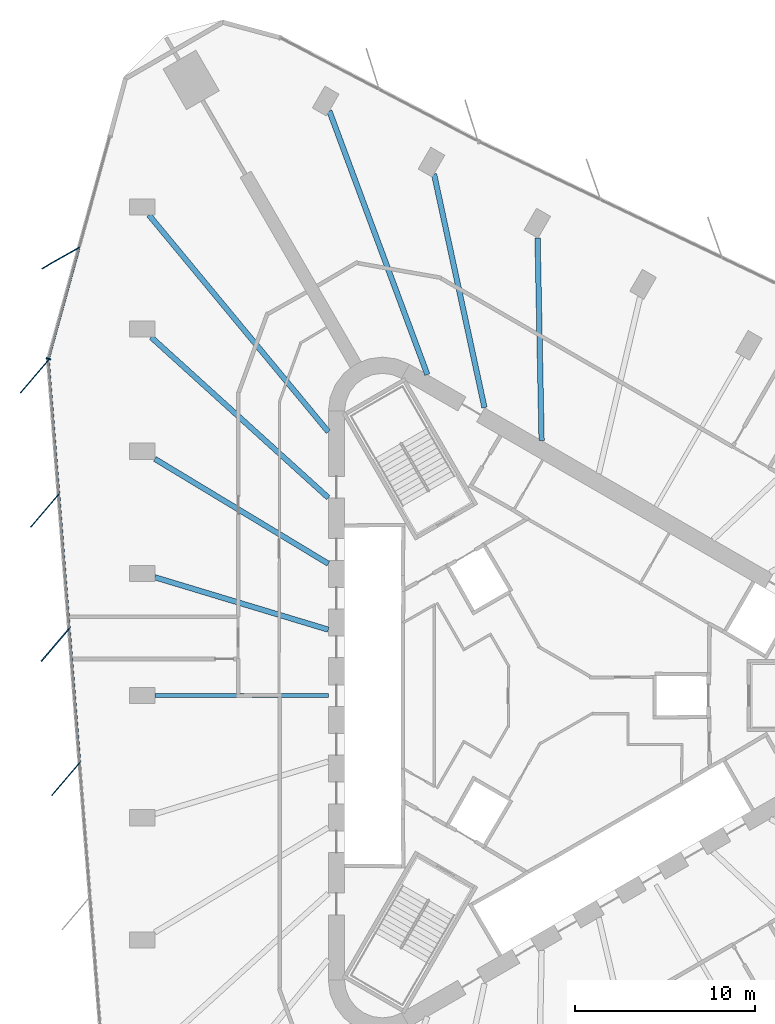
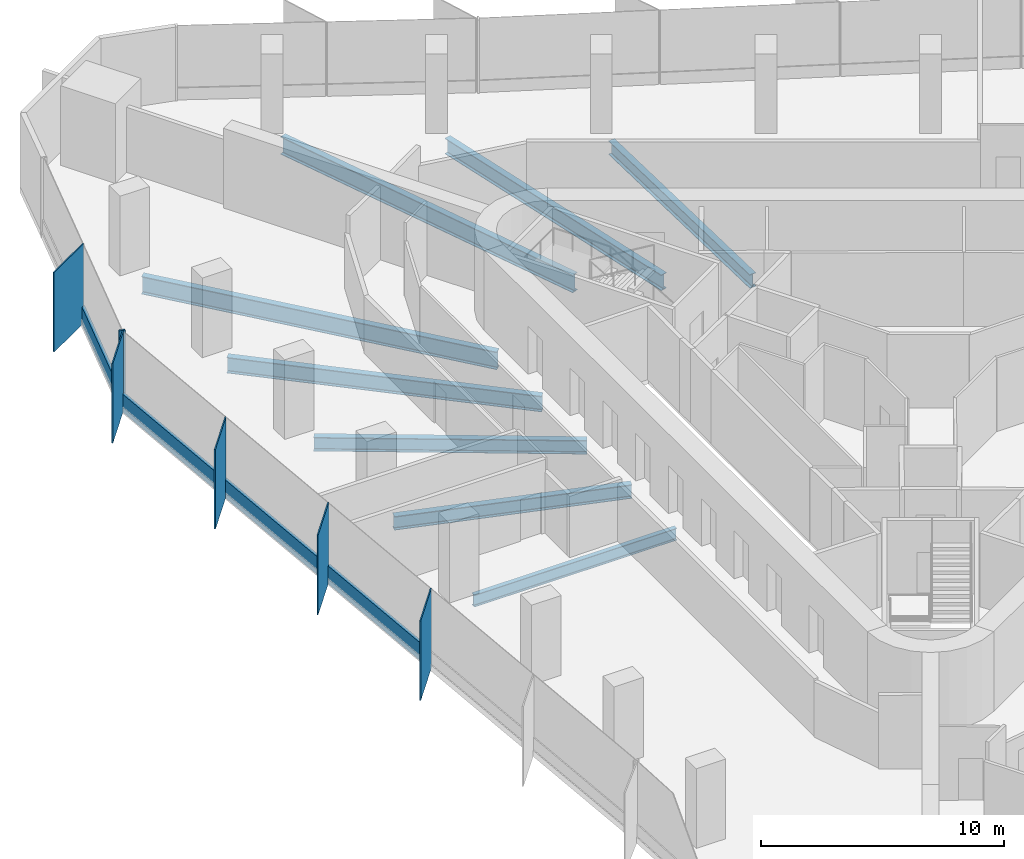
# One storey, part 4 of 13: 10 members, 8 beams, 2 elements without a shape of their own.
"""IFC4 building model written with IfcOpenShell, lengths in metres."""

from ifc_helpers import new_model, si_unit, direction, frame, origin, origin_2d, place, context, subcontext, project, spatial, rectangle, i_section, extrude, material, material_profile, profile_set, type_object, element, aggregate, save


model = new_model("IFC4")

# Units and contexts
model_context = context("Model", 3, precision=1e-05, world=origin(), true_north=direction((0.0, 1.0)))
body_context = subcontext(model_context, "Body", "Model", "MODEL_VIEW")
ifc_project = project(units=[si_unit("LENGTHUNIT", "METRE"), si_unit("AREAUNIT", "SQUARE_METRE"), si_unit("VOLUMEUNIT", "CUBIC_METRE"), si_unit("PLANEANGLEUNIT", "RADIAN"), si_unit("MASSUNIT", "GRAM", prefix="KILO")], contexts=[model_context])

# Site, building, storey
site_placement = place(None, origin())
site = spatial("IfcSite", under=ifc_project, at=site_placement, CompositionType="ELEMENT")
building_placement = place(site_placement, origin())
building = spatial("IfcBuilding", under=site, at=building_placement, Name="Tanit Gate Tower", CompositionType="ELEMENT")
storey_placement = place(building_placement, frame((0.0, 0.0, 189.199951171875)))
storey = spatial("IfcBuildingStorey", under=building, at=storey_placement, Name="L41", CompositionType="ELEMENT", Elevation=189.199951171875)

# Curtain wall, member
ifc_material_1 = material(Name="Aluminium bronze anodised and glass", Category="aluminium")
curtain_wall_type = type_object("IfcCurtainWallType", Name="Curtain wall typical mid", PredefinedType="NOTDEFINED", material=ifc_material_1)
curtain_wall_1_placement = place(storey_placement, origin())
curtain_wall_1 = element("IfcCurtainWall", 1, at=curtain_wall_1_placement, inside=storey, type_object=curtain_wall_type, Name="Curtain wall L41 W1", PredefinedType="NOTDEFINED")
ifc_material_2 = material(Name="Aluminium bronze anodised", Category="aluminium")
ifc_material_profile_1 = material_profile(ifc_material_2, rectangle(XDim=2.39990234375, YDim=0.055908203125, at=origin_2d()), Name="56x2400 bronze fin mullion")
ifc_profile_set_1 = profile_set([ifc_material_profile_1], Name="Aluminium bronze anodised")
member_type_1 = type_object("IfcMemberType", Name="FIN MULLION 56x2400 bronze", PredefinedType="MULLION", material=ifc_profile_set_1)
member_1_placement = place(storey_placement, frame((-26.9375, 24.251953125, -0.300048828125), z_axis=(0.0, 0.0, 1.0), x_axis=(0.869820195639, 0.493368855178, 0.0)))
member_1 = element("IfcMember", 2, at=member_1_placement, type_object=member_type_1, Name="Fin mullion L41 W1.2", PredefinedType="MULLION", context=body_context, shape_type="SweptSolid", body=[
    extrude(rectangle(XDim=2.39990234375, YDim=0.055908203125, at=origin_2d()), origin(), (0.0, 0.0, 1.0), 4.0),
])

# Curtain wall, members
curtain_wall_2_placement = place(storey_placement, origin())
curtain_wall_2 = element("IfcCurtainWall", 3, at=curtain_wall_2_placement, inside=storey, type_object=curtain_wall_type, Name="Curtain wall L41 W2", PredefinedType="NOTDEFINED")
member_2_placement = place(storey_placement, frame((-28.388427734375, 17.694091796875, -0.300048828125), z_axis=(0.0, 0.0, 1.0), x_axis=(0.650025975428, 0.75991198916, 0.0)))
member_2 = element("IfcMember", 4, at=member_2_placement, type_object=member_type_1, Name="Fin mullion L41 W2.1", PredefinedType="MULLION", context=body_context, shape_type="SweptSolid", body=[
    extrude(rectangle(XDim=2.39990234375, YDim=0.055908203125, at=origin_2d()), origin(), (0.0, 0.0, 1.0), 4.0),
])
member_3_placement = place(storey_placement, frame((-27.808837890625, 10.25732421875, -0.300048828125), z_axis=(0.0, 0.0, 1.0), x_axis=(0.650025975428, 0.75991198916, 0.0)))
member_3 = element("IfcMember", 5, at=member_3_placement, type_object=member_type_1, Name="Fin mullion L41 W2.2", PredefinedType="MULLION", context=body_context, shape_type="SweptSolid", body=[
    extrude(rectangle(XDim=2.39990234375, YDim=0.055908203125, at=origin_2d()), origin(), (0.0, 0.0, 1.0), 4.0),
])
member_4_placement = place(storey_placement, frame((-27.229248046875, 2.8203125, -0.300048828125), z_axis=(0.0, 0.0, 1.0), x_axis=(0.650025975428, 0.75991198916, 0.0)))
member_4 = element("IfcMember", 6, at=member_4_placement, type_object=member_type_1, Name="Fin mullion L41 W2.3", PredefinedType="MULLION", context=body_context, shape_type="SweptSolid", body=[
    extrude(rectangle(XDim=2.39990234375, YDim=0.055908203125, at=origin_2d()), origin(), (0.0, 0.0, 1.0), 4.0),
])
member_5_placement = place(storey_placement, frame((-26.649658203125, -4.616455078125, -0.300048828125), z_axis=(0.0, 0.0, 1.0), x_axis=(0.650025975428, 0.75991198916, 0.0)))
member_5 = element("IfcMember", 7, at=member_5_placement, type_object=member_type_1, Name="Fin mullion L41 W2.4", PredefinedType="MULLION", context=body_context, shape_type="SweptSolid", body=[
    extrude(rectangle(XDim=2.39990234375, YDim=0.055908203125, at=origin_2d()), origin(), (0.0, 0.0, 1.0), 4.0),
])

# Member
ifc_material_3 = material(Name="Aluminium bronze anodised", Category="aluminium")
ifc_material_profile_2 = material_profile(ifc_material_3, rectangle(XDim=0.260009765625, YDim=0.080078125, at=origin_2d()), Name="80x260 bronze mullion")
ifc_profile_set_2 = profile_set([ifc_material_profile_2], Name="Aluminium bronze anodised")
member_type_2 = type_object("IfcMemberType", Name="Mullion 80x260 typical mid", PredefinedType="MULLION", material=ifc_profile_set_2)
member_6_placement = place(storey_placement, frame((-27.61474609375, 18.668212890625, -0.300048828125), z_axis=(0.0, 0.0, 1.0), x_axis=(0.963920221871, -0.266191295627, 0.0)))
member_6 = element("IfcMember", 8, at=member_6_placement, type_object=member_type_2, Name="Mullion L41 W1.3", PredefinedType="MULLION", context=body_context, shape_type="SweptSolid", body=[
    extrude(rectangle(XDim=0.260009765625, YDim=0.080078125, at=origin_2d()), origin(), (0.0, 0.0, 1.0), 4.0),
])

# Beams
ifc_material_4 = material(Name="Steel S355", Category="steel")
ifc_material_profile_3 = material_profile(ifc_material_4, i_section(OverallWidth=0.300048828125, OverallDepth=0.68994140625, WebThickness=0.014404296875, FlangeThickness=0.027099609375, FilletRadius=0.027099609375, at=origin_2d()), Name="HEA 700")
ifc_profile_set_3 = profile_set([ifc_material_profile_3], Name="Steel S355")
beam_type_1 = type_object("IfcBeamType", Name="RADIAL GIRDER HEA 700 S355", PredefinedType="BEAM", material=ifc_profile_set_3)
for number, where, z_axis, x_axis, name in (
    (9, (-0.504150390625, 25.364990234375, -0.64501953125), (0.019869098262, -0.999802589982, 0.0), (0.999802589982, 0.019869098262, 0.0), "RADIAL GIRDER"),
    (10, (-21.714599609375, 13.119140625, -0.64501953125), (0.855914138783, -0.517117962395, 0.0), (0.517117962395, 0.855914138783, 0.0), "RADIAL GIRDER"),
):
    element("IfcBeam", number, at=place(storey_placement, frame(where, z_axis=z_axis, x_axis=x_axis)), inside=storey, type_object=beam_type_1, Name=name, PredefinedType="BEAM", context=body_context, shape_type="SweptSolid", body=[
        extrude(i_section(OverallWidth=0.300048828125, OverallDepth=0.68994140625, WebThickness=0.014404296875, FlangeThickness=0.027099609375, FilletRadius=0.027099609375, at=origin_2d()), origin(), (0.0, 0.0, 1.0), 11.230712890625),
    ])
beam_1_placement = place(storey_placement, frame((-21.714599609375, 6.5595703125, -0.64501953125), z_axis=(0.95727515036, -0.28917864116, 0.0), x_axis=(0.28917864116, 0.95727515036, 0.0)))
element("IfcBeam", 11, at=beam_1_placement, inside=storey, type_object=beam_type_1, Name="RADIAL GIRDER", PredefinedType="BEAM", context=body_context, shape_type="SweptSolid", body=[
    extrude(i_section(OverallWidth=0.300048828125, OverallDepth=0.68994140625, WebThickness=0.014404296875, FlangeThickness=0.027099609375, FilletRadius=0.027099609375, at=origin_2d()), origin(), (0.0, 0.0, 1.0), 10.04150390625),
])
ifc_material_5 = material(Name="Steel S355", Category="steel")
ifc_material_profile_4 = material_profile(ifc_material_5, i_section(OverallWidth=0.300048828125, OverallDepth=0.7900390625, WebThickness=0.014892578125, FlangeThickness=0.028076171875, FilletRadius=0.030029296875, at=origin_2d()), Name="HEA 800")
ifc_profile_set_4 = profile_set([ifc_material_profile_4], Name="Steel S355")
beam_type_2 = type_object("IfcBeamType", Name="RADIAL GIRDER HEA 800 S355", PredefinedType="BEAM", material=ifc_profile_set_4)
beam_2_placement = place(storey_placement, frame((-6.242919921875, 28.9130859375, -0.695068359375), z_axis=(0.211052986888, -0.977474622037, 0.0), x_axis=(0.977474622037, 0.211052986888, 0.0)))
element("IfcBeam", 12, at=beam_2_placement, inside=storey, type_object=beam_type_2, Name="RADIAL GIRDER", PredefinedType="BEAM", context=body_context, shape_type="SweptSolid", body=[
    extrude(i_section(OverallWidth=0.300048828125, OverallDepth=0.7900390625, WebThickness=0.014892578125, FlangeThickness=0.028076171875, FilletRadius=0.030029296875, at=origin_2d()), origin(), (0.0, 0.0, 1.0), 13.247314453125),
])
beam_3_placement = place(storey_placement, frame((-21.918212890625, 19.86279296875, -0.695068359375), z_axis=(0.741001566529, -0.671503297387, 0.0), x_axis=(0.671503297387, 0.741001566529, 0.0)))
element("IfcBeam", 13, at=beam_3_placement, inside=storey, type_object=beam_type_2, Name="RADIAL GIRDER", PredefinedType="BEAM", context=body_context, shape_type="SweptSolid", body=[
    extrude(i_section(OverallWidth=0.300048828125, OverallDepth=0.7900390625, WebThickness=0.014892578125, FlangeThickness=0.028076171875, FilletRadius=0.030029296875, at=origin_2d()), origin(), (0.0, 0.0, 1.0), 13.2470703125),
])
ifc_material_6 = material(Name="Steel S355", Category="steel")
ifc_material_profile_5 = material_profile(ifc_material_6, i_section(OverallWidth=0.300048828125, OverallDepth=0.889892578125, WebThickness=0.01611328125, FlangeThickness=0.030029296875, FilletRadius=0.030029296875, at=origin_2d()), Name="HEA 900")
ifc_profile_set_5 = profile_set([ifc_material_profile_5], Name="Steel S355")
beam_type_3 = type_object("IfcBeamType", Name="RADIAL GIRDER HEA 900 S355", PredefinedType="BEAM", material=ifc_profile_set_5)
beam_4_placement = place(storey_placement, frame((-12.04443359375, 32.40625, -0.744873046875), z_axis=(0.348383102876, -0.937352235625, 0.0), x_axis=(0.937352235625, 0.348383102876, 0.0)))
element("IfcBeam", 14, at=beam_4_placement, inside=storey, type_object=beam_type_3, Name="RADIAL GIRDER", PredefinedType="BEAM", context=body_context, shape_type="SweptSolid", body=[
    extrude(i_section(OverallWidth=0.300048828125, OverallDepth=0.889892578125, WebThickness=0.01611328125, FlangeThickness=0.030029296875, FilletRadius=0.030029296875, at=origin_2d()), origin(), (0.0, 0.0, 1.0), 15.591064453125),
])
beam_5_placement = place(storey_placement, frame((-22.042236328125, 26.6337890625, -0.744873046875), z_axis=(0.637577648995, -0.77038609898, 0.0), x_axis=(0.77038609898, 0.637577648995, 0.0)))
element("IfcBeam", 15, at=beam_5_placement, inside=storey, type_object=beam_type_3, Name="RADIAL GIRDER", PredefinedType="BEAM", context=body_context, shape_type="SweptSolid", body=[
    extrude(i_section(OverallWidth=0.300048828125, OverallDepth=0.889892578125, WebThickness=0.01611328125, FlangeThickness=0.030029296875, FilletRadius=0.030029296875, at=origin_2d()), origin(), (0.0, 0.0, 1.0), 15.590576171875),
])
ifc_material_7 = material(Name="Steel S355", Category="steel")
ifc_material_profile_6 = material_profile(ifc_material_7, i_section(OverallWidth=0.219970703125, OverallDepth=0.60009765625, WebThickness=0.011962890625, FlangeThickness=0.01904296875, FilletRadius=0.02392578125, at=origin_2d()), Name="IPE 600")
ifc_profile_set_6 = profile_set([ifc_material_profile_6], Name="Steel S355")
beam_type_4 = type_object("IfcBeamType", Name="RADIAL GIRDER IPE 600 S355", PredefinedType="BEAM", material=ifc_profile_set_6)
beam_6_placement = place(storey_placement, frame((-21.714599609375, 0.0, -0.599853515625), z_axis=(1.0, 0.0, 0.0), x_axis=(0.0, 1.0, 0.0)))
element("IfcBeam", 16, at=beam_6_placement, inside=storey, type_object=beam_type_4, Name="RADIAL GIRDER", PredefinedType="BEAM", context=body_context, shape_type="SweptSolid", body=[
    extrude(i_section(OverallWidth=0.219970703125, OverallDepth=0.60009765625, WebThickness=0.011962890625, FlangeThickness=0.01904296875, FilletRadius=0.02392578125, at=origin_2d()), origin(), (0.0, 0.0, 1.0), 9.612548828125),
])

# Member
ifc_material_8 = material(Name="Aluminium bronze anodised", Category="aluminium")
ifc_material_profile_7 = material_profile(ifc_material_8, rectangle(XDim=0.139892578125, YDim=0.89990234375, at=origin_2d()), Name="140x900 bronze transom")
ifc_profile_set_7 = profile_set([ifc_material_profile_7], Name="Aluminium bronze anodised")
member_type_3 = type_object("IfcMemberType", Name="Transom 140x900 typical mid", PredefinedType="USERDEFINED", material=ifc_profile_set_7)
member_7_placement = place(storey_placement, frame((-25.9228515625, 24.795166015625, 0.150146484375), z_axis=(-0.266164324835, -0.963927669582, 0.0), x_axis=(0.963927669582, -0.266164324835, 0.0)))
member_7 = element("IfcMember", 17, at=member_7_placement, type_object=member_type_3, Name="Transom L41 W1.2", ObjectType="TRANSOM", PredefinedType="USERDEFINED", context=body_context, shape_type="SweptSolid", body=[
    extrude(rectangle(XDim=0.139892578125, YDim=0.89990234375, at=origin_2d()), origin(), (0.0, 0.0, 1.0), 6.316162109375),
])

aggregate(curtain_wall_1, [member_1, member_6, member_7])

member_8_placement = place(storey_placement, frame((-27.619140625, 18.550048828125, 0.150146484375), z_axis=(0.077713489247, -0.996975733701, 0.0), x_axis=(0.996975733701, 0.077713489247, 0.0)))
member_8 = element("IfcMember", 18, at=member_8_placement, type_object=member_type_3, Name="Transom L41 W2.1", ObjectType="TRANSOM", PredefinedType="USERDEFINED", context=body_context, shape_type="SweptSolid", body=[
    extrude(rectangle(XDim=0.139892578125, YDim=0.89990234375, at=origin_2d()), origin(), (0.0, 0.0, 1.0), 7.37939453125),
])

member_9_placement = place(storey_placement, frame((-27.03955078125, 11.113037109375, 0.150146484375), z_axis=(0.077716052602, -0.996975533886, 0.0), x_axis=(0.996975533886, 0.077716052602, 0.0)))
member_9 = element("IfcMember", 19, at=member_9_placement, type_object=member_type_3, Name="Transom L41 W2.2", ObjectType="TRANSOM", PredefinedType="USERDEFINED", context=body_context, shape_type="SweptSolid", body=[
    extrude(rectangle(XDim=0.139892578125, YDim=0.89990234375, at=origin_2d()), origin(), (0.0, 0.0, 1.0), 7.379150390625),
])

member_10_placement = place(storey_placement, frame((-26.4599609375, 3.67626953125, 0.150146484375), z_axis=(0.077713489247, -0.996975733701, 0.0), x_axis=(0.996975733701, 0.077713489247, 0.0)))
member_10 = element("IfcMember", 20, at=member_10_placement, type_object=member_type_3, Name="Transom L41 W2.3", ObjectType="TRANSOM", PredefinedType="USERDEFINED", context=body_context, shape_type="SweptSolid", body=[
    extrude(rectangle(XDim=0.139892578125, YDim=0.89990234375, at=origin_2d()), origin(), (0.0, 0.0, 1.0), 7.37939453125),
])

aggregate(curtain_wall_2, [member_2, member_3, member_4, member_5, member_8, member_9, member_10])

save(model, "model.ifc")
